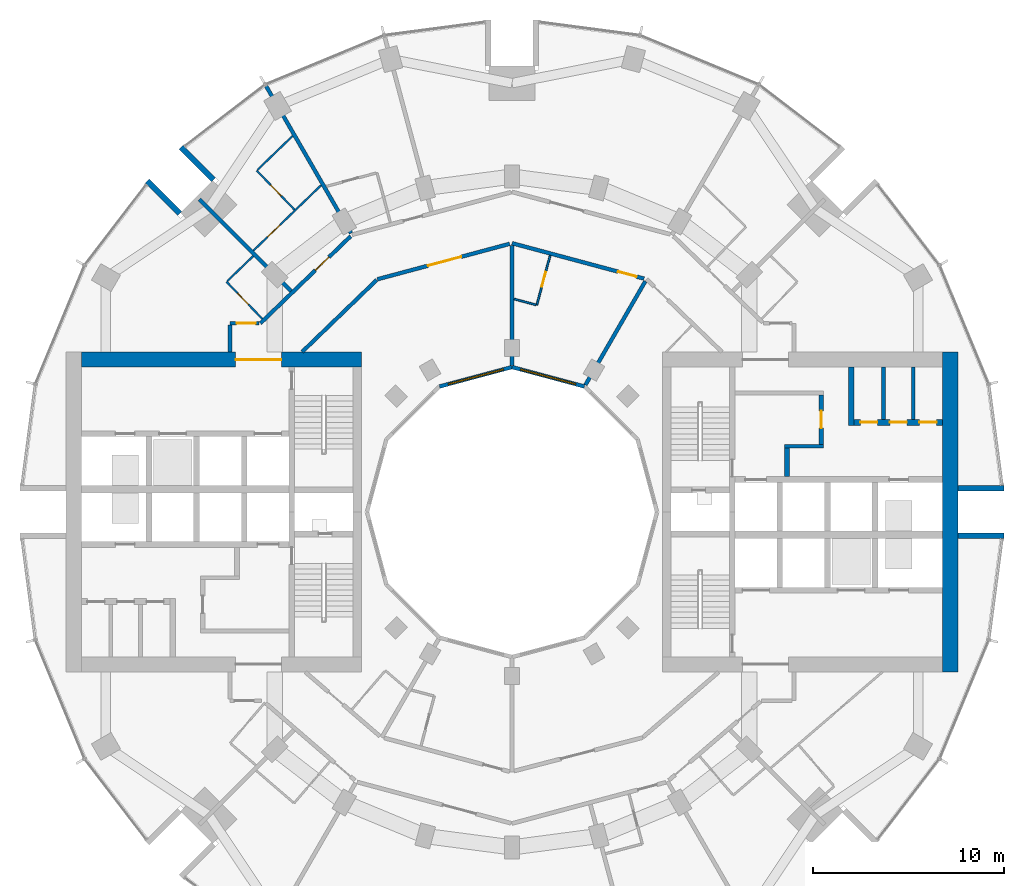
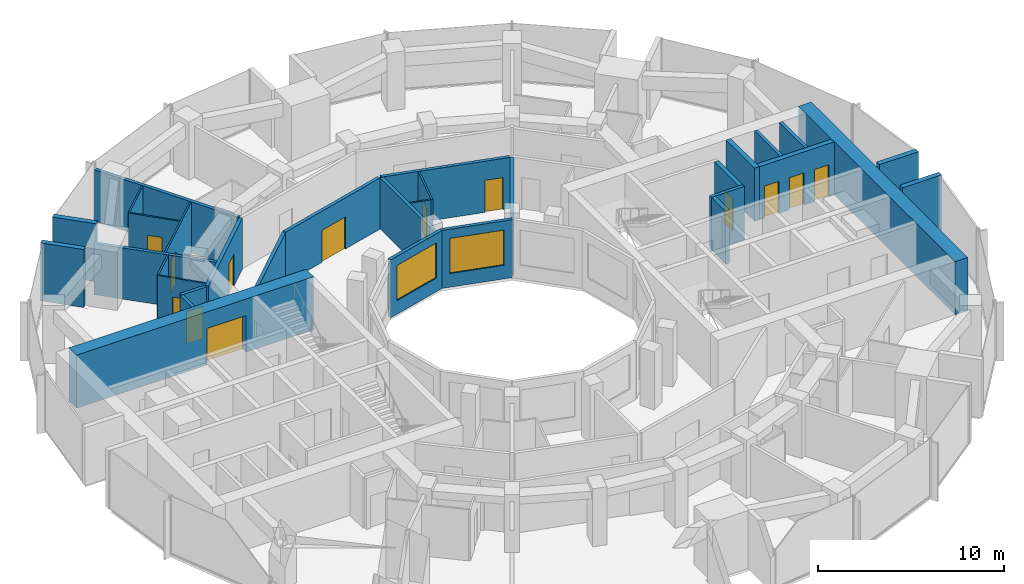
# One storey, part 11 of 15: 32 walls, 13 doors, 2 windows, 15 openings.
"""IFC4 building model written with IfcOpenShell, lengths in metres."""

from ifc_helpers import new_model, si_unit, direction, frame, frame_2d, origin, place, context, subcontext, project, spatial, rectangle, extrude, material, layer, layer_set, type_object, element, fill, save


model = new_model("IFC4")

# Units and contexts
model_context = context("Model", 3, precision=1e-05, world=origin(), true_north=direction((0.0, 1.0)))
body_context = subcontext(model_context, "Body", "Model", "MODEL_VIEW")
ifc_project = project(units=[si_unit("LENGTHUNIT", "METRE"), si_unit("AREAUNIT", "SQUARE_METRE"), si_unit("VOLUMEUNIT", "CUBIC_METRE"), si_unit("PLANEANGLEUNIT", "RADIAN"), si_unit("MASSUNIT", "GRAM", prefix="KILO")], contexts=[model_context])

# Site, building, storey
site_placement = place(None, origin())
site = spatial("IfcSite", under=ifc_project, at=site_placement, CompositionType="ELEMENT")
building_placement = place(site_placement, origin())
building = spatial("IfcBuilding", under=site, at=building_placement, Name="Torre Brocal", CompositionType="ELEMENT")
storey_placement = place(building_placement, frame((0.0, 0.0, 97.60009765625)))
storey = spatial("IfcBuildingStorey", under=building, at=storey_placement, Name="L22", CompositionType="ELEMENT", Elevation=97.60009765625)

# Walls
ifc_material_1 = material(Name="Masonry block", Category="masonry")
ifc_layer_1 = layer(ifc_material_1, 0.199951171875)
ifc_layer_set_1 = layer_set([ifc_layer_1], Name="Masonry block")
wall_type_1 = type_object("IfcWallType", Name="CORE PARTITION 200", PredefinedType="PARTITIONING", material=ifc_layer_set_1)
for number, where, z_axis, x_axis, name in (
    (1, (99.5, 79.85009765625, 0.0), (0.0, 0.0, 1.0), (0.0, 1.0, 0.0), "Wall CP200"),
    (2, (101.050048828125, 79.85009765625, 0.0), (0.0, 0.0, 1.0), (0.0, 1.0, 0.0), "Wall CP200"),
):
    element("IfcWall", number, at=place(storey_placement, frame(where, z_axis=z_axis, x_axis=x_axis)), inside=storey, type_object=wall_type_1, Name=name, PredefinedType="PARTITIONING", context=body_context, shape_type="SweptSolid", body=[
        extrude(rectangle(XDim=2.75, YDim=0.199951171875, at=frame_2d((1.375, 0.0))), origin(), (0.0, 0.0, 1.0), 3.47998046875),
    ])
ifc_material_2 = material(Name="Concrete C80", Category="concrete")
ifc_layer_2 = layer(ifc_material_2, 0.199951171875)
ifc_layer_set_2 = layer_set([ifc_layer_2], Name="Concrete C80")
wall_type_2 = type_object("IfcWallType", Name="CORE WALL 200 C80", PredefinedType="SHEAR", material=ifc_layer_set_2)
wall_1_placement = place(storey_placement, frame((94.300048828125, 78.449951171875, 0.0), z_axis=(0.0, 0.0, 1.0), x_axis=(1.0, 0.0, 0.0)))
element("IfcWall", 3, at=wall_1_placement, inside=storey, type_object=wall_type_2, Name="Wall CW200-80", PredefinedType="SHEAR", context=body_context, shape_type="SweptSolid", body=[
    extrude(rectangle(XDim=2.050048828125, YDim=0.199951171875, at=frame_2d((1.02490234375, 0.0))), origin(), (0.0, 0.0, 1.0), 3.47998046875),
])

# Wall, opening, door
ifc_material_3 = material(Name="Concrete C80", Category="concrete")
ifc_layer_3 = layer(ifc_material_3, 0.25)
ifc_layer_set_3 = layer_set([ifc_layer_3], Name="Concrete C80")
wall_type_3 = type_object("IfcWallType", Name="CORE WALL 250 C80", PredefinedType="SHEAR", material=ifc_layer_set_3)
wall_2_placement = place(storey_placement, frame((96.22509765625, 78.550048828125, 0.0), z_axis=(0.0, 0.0, 1.0), x_axis=(0.0, 1.0, 0.0)))
wall_2 = element("IfcWall", 4, at=wall_2_placement, inside=storey, type_object=wall_type_3, Name="Wall CW250-80", PredefinedType="SHEAR", context=body_context, shape_type="SweptSolid", body=[
    extrude(rectangle(XDim=2.599853515625, YDim=0.25, at=frame_2d((1.2998046875, 0.0))), origin(), (0.0, 0.0, 1.0), 3.47998046875),
])
opening_1_placement = place(wall_2_placement, frame((0.85009765625, 0.0, 0.0)))
opening_1 = element("IfcOpeningElement", 5, at=opening_1_placement, cuts=wall_2, Name="Opening E-D15", PredefinedType="OPENING", context=body_context, shape_type="SweptSolid", body=[
    extrude(rectangle(XDim=0.89990234375, YDim=2.10009765625, at=frame_2d((0.449951171875, 1.050048828125))), frame((0.0, 0.135009765625, 0.0), z_axis=(0.0, -1.0, 0.0), x_axis=(1.0, 0.0, 0.0)), (0.0, 0.0, 1.0), 0.27001953125),
])
ifc_material_4 = material(Name="Steel A653", Category="steel")
door_type_1 = type_object("IfcDoorType", Name="LOBBY DOOR FD120 900X2100", OperationType="SINGLE_SWING_RIGHT", PredefinedType="DOOR", material=ifc_material_4)
door_1_placement = place(opening_1_placement, origin())
door_1 = element("IfcDoor", 6, at=door_1_placement, inside=storey, type_object=door_type_1, Name="Door E-D15", OperationType="SINGLE_SWING_LEFT", OverallHeight=2.10009765625, OverallWidth=0.89990234375, PredefinedType="DOOR", context=body_context, shape_type="SweptSolid", body=[
    extrude(rectangle(XDim=0.89990234375, YDim=2.10009765625, at=frame_2d((0.449951171875, 1.050048828125))), frame((0.0, 0.02490234375, 0.0), z_axis=(0.0, -1.0, 0.0), x_axis=(1.0, 0.0, 0.0)), (0.0, 0.0, 1.0), 0.050048828125),
])
fill(opening_1, door_1)

# Walls
wall_3_placement = place(storey_placement, frame((94.425048828125, 76.85009765625, 0.0), z_axis=(0.0, 0.0, 1.0), x_axis=(0.0, 1.0, 0.0)))
element("IfcWall", 7, at=wall_3_placement, inside=storey, type_object=wall_type_3, Name="Wall CW250-80", PredefinedType="SHEAR", context=body_context, shape_type="SweptSolid", body=[
    extrude(rectangle(XDim=1.5, YDim=0.25, at=frame_2d((0.75, 0.0))), origin(), (0.0, 0.0, 1.0), 3.47998046875),
])
ifc_material_5 = material(Name="Concrete C80", Category="concrete")
ifc_layer_4 = layer(ifc_material_5, 0.300048828125)
ifc_layer_set_4 = layer_set([ifc_layer_4], Name="Concrete C80")
wall_type_4 = type_object("IfcWallType", Name="CORE WALL 300 C80", PredefinedType="SHEAR", material=ifc_layer_set_4)
wall_4_placement = place(storey_placement, frame((97.800048828125, 79.550048828125, 0.0), z_axis=(0.0, 0.0, 1.0), x_axis=(0.0, 1.0, 0.0)))
element("IfcWall", 8, at=wall_4_placement, inside=storey, type_object=wall_type_4, Name="Wall CW300-80", PredefinedType="SHEAR", context=body_context, shape_type="SweptSolid", body=[
    extrude(rectangle(XDim=3.050048828125, YDim=0.300048828125, at=frame_2d((1.52490234375, 0.0))), origin(), (0.0, 0.0, 1.0), 3.47998046875),
])

# Wall, openings, doors
wall_5_placement = place(storey_placement, frame((97.949951171875, 79.699951171875, 0.0), z_axis=(0.0, 0.0, 1.0), x_axis=(1.0, 0.0, 0.0)))
wall_5 = element("IfcWall", 9, at=wall_5_placement, inside=storey, type_object=wall_type_4, Name="Wall CW300-80", PredefinedType="SHEAR", context=body_context, shape_type="SweptSolid", body=[
    extrude(rectangle(XDim=4.650146484375, YDim=0.300048828125, at=frame_2d((2.3251953125, 0.0))), origin(), (0.0, 0.0, 1.0), 3.47998046875),
])
opening_2_placement = place(wall_5_placement, frame((0.324951171875, 0.0, 0.0)))
opening_2 = element("IfcOpeningElement", 10, at=opening_2_placement, cuts=wall_5, Name="Opening E-D05", PredefinedType="OPENING", context=body_context, shape_type="SweptSolid", body=[
    extrude(rectangle(XDim=0.89990234375, YDim=2.10009765625, at=frame_2d((0.449951171875, 1.050048828125))), frame((0.0, 0.159912109375, 0.0), z_axis=(0.0, -1.0, 0.0), x_axis=(1.0, 0.0, 0.0)), (0.0, 0.0, 1.0), 0.320068359375),
])
opening_3_placement = place(wall_5_placement, frame((1.875, 0.0, 0.0)))
opening_3 = element("IfcOpeningElement", 11, at=opening_3_placement, cuts=wall_5, Name="Opening E-D06", PredefinedType="OPENING", context=body_context, shape_type="SweptSolid", body=[
    extrude(rectangle(XDim=0.89990234375, YDim=2.10009765625, at=frame_2d((0.449951171875, 1.050048828125))), frame((0.0, 0.159912109375, 0.0), z_axis=(0.0, -1.0, 0.0), x_axis=(1.0, 0.0, 0.0)), (0.0, 0.0, 1.0), 0.320068359375),
])
opening_4_placement = place(wall_5_placement, frame((3.425048828125, 0.0, 0.0)))
opening_4 = element("IfcOpeningElement", 12, at=opening_4_placement, cuts=wall_5, Name="Opening E-D07", PredefinedType="OPENING", context=body_context, shape_type="SweptSolid", body=[
    extrude(rectangle(XDim=0.89990234375, YDim=2.10009765625, at=frame_2d((0.449951171875, 1.050048828125))), frame((0.0, 0.159912109375, 0.0), z_axis=(0.0, -1.0, 0.0), x_axis=(1.0, 0.0, 0.0)), (0.0, 0.0, 1.0), 0.320068359375),
])
ifc_material_6 = material(Name="Steel A653", Category="steel")
door_type_2 = type_object("IfcDoorType", Name="ROOM DOOR FD30S 900X2100", OperationType="SINGLE_SWING_LEFT", PredefinedType="DOOR", material=ifc_material_6)
door_2_placement = place(opening_2_placement, origin())
door_2 = element("IfcDoor", 13, at=door_2_placement, inside=storey, type_object=door_type_2, Name="Door E-D05", OperationType="SINGLE_SWING_RIGHT", OverallHeight=2.10009765625, OverallWidth=0.89990234375, PredefinedType="DOOR", context=body_context, shape_type="SweptSolid", body=[
    extrude(rectangle(XDim=0.89990234375, YDim=2.10009765625, at=frame_2d((0.449951171875, 1.050048828125))), frame((0.0, 0.02490234375, 0.0), z_axis=(0.0, -1.0, 0.0), x_axis=(1.0, 0.0, 0.0)), (0.0, 0.0, 1.0), 0.050048828125),
])
fill(opening_2, door_2)
door_3_placement = place(opening_3_placement, origin())
door_3 = element("IfcDoor", 14, at=door_3_placement, inside=storey, type_object=door_type_2, Name="Door E-D06", OperationType="SINGLE_SWING_RIGHT", OverallHeight=2.10009765625, OverallWidth=0.89990234375, PredefinedType="DOOR", context=body_context, shape_type="SweptSolid", body=[
    extrude(rectangle(XDim=0.89990234375, YDim=2.10009765625, at=frame_2d((0.449951171875, 1.050048828125))), frame((0.0, 0.02490234375, 0.0), z_axis=(0.0, -1.0, 0.0), x_axis=(1.0, 0.0, 0.0)), (0.0, 0.0, 1.0), 0.050048828125),
])
fill(opening_3, door_3)
door_4_placement = place(opening_4_placement, origin())
door_4 = element("IfcDoor", 15, at=door_4_placement, inside=storey, type_object=door_type_2, Name="Door E-D07", OperationType="SINGLE_SWING_LEFT", OverallHeight=2.10009765625, OverallWidth=0.89990234375, PredefinedType="DOOR", context=body_context, shape_type="SweptSolid", body=[
    extrude(rectangle(XDim=0.89990234375, YDim=2.10009765625, at=frame_2d((0.449951171875, 1.050048828125))), frame((0.0, 0.02490234375, 0.0), z_axis=(0.0, -1.0, 0.0), x_axis=(1.0, 0.0, 0.0)), (0.0, 0.0, 1.0), 0.050048828125),
])
fill(opening_4, door_4)

# Wall
ifc_material_7 = material(Name="Concrete C80", Category="concrete")
ifc_layer_5 = layer(ifc_material_7, 0.800048828125)
ifc_layer_set_5 = layer_set([ifc_layer_5], Name="Concrete C80")
wall_type_5 = type_object("IfcWallType", Name="CORE WALL 800 C80", PredefinedType="SHEAR", material=ifc_layer_set_5)
wall_6_placement = place(storey_placement, frame((103.0, 66.60009765625, 0.0), z_axis=(0.0, 0.0, 1.0), x_axis=(0.0, 1.0, 0.0)))
element("IfcWall", 16, at=wall_6_placement, inside=storey, type_object=wall_type_5, Name="Wall CW800-80", PredefinedType="SHEAR", context=body_context, shape_type="SweptSolid", body=[
    extrude(rectangle(XDim=16.7998046875, YDim=0.800048828125, at=frame_2d((8.39990234375, 0.0))), origin(), (0.0, 0.0, 1.0), 3.47998046875),
])

# Wall, opening, door
wall_7_placement = place(storey_placement, frame((72.10009765625, 83.0, 0.0), z_axis=(0.0, 0.0, 1.0), x_axis=(-1.0, 0.0, 0.0)))
wall_7 = element("IfcWall", 17, at=wall_7_placement, inside=storey, type_object=wall_type_5, Name="Wall CW800-80", PredefinedType="SHEAR", context=body_context, shape_type="SweptSolid", body=[
    extrude(rectangle(XDim=14.7001953125, YDim=0.800048828125, at=frame_2d((7.35009765625, 0.0))), origin(), (0.0, 0.0, 1.0), 3.47998046875),
])
opening_5_placement = place(wall_7_placement, frame((4.199951171875, 0.0, 0.0)))
opening_5 = element("IfcOpeningElement", 18, at=opening_5_placement, cuts=wall_7, Name="Opening W-D30", PredefinedType="OPENING", context=body_context, shape_type="SweptSolid", body=[
    extrude(rectangle(XDim=2.39990234375, YDim=2.39990234375, at=frame_2d((1.199951171875, 1.199951171875))), frame((0.0, 0.409912109375, 0.0), z_axis=(0.0, -1.0, 0.0), x_axis=(1.0, 0.0, 0.0)), (0.0, 0.0, 1.0), 0.820068359375),
])
ifc_material_8 = material(Name="Steel A653", Category="steel")
door_type_3 = type_object("IfcDoorType", Name="DOUBLE FIRE DOOR FD90 2400X2400", OperationType="DOUBLE_DOOR_SINGLE_SWING", PredefinedType="DOOR", material=ifc_material_8)
door_5_placement = place(opening_5_placement, origin())
door_5 = element("IfcDoor", 19, at=door_5_placement, inside=storey, type_object=door_type_3, Name="Door W-D30", OperationType="DOUBLE_DOOR_SINGLE_SWING", OverallHeight=2.39990234375, OverallWidth=2.39990234375, PredefinedType="DOOR", context=body_context, shape_type="SweptSolid", body=[
    extrude(rectangle(XDim=2.39990234375, YDim=2.39990234375, at=frame_2d((1.199951171875, 1.199951171875))), frame((0.0, 0.02490234375, 0.0), z_axis=(0.0, -1.0, 0.0), x_axis=(1.0, 0.0, 0.0)), (0.0, 0.0, 1.0), 0.050048828125),
])
fill(opening_5, door_5)

# Walls
ifc_material_9 = material(Name="Concrete C80", Category="concrete")
ifc_layer_6 = layer(ifc_material_9, 0.300048828125)
ifc_layer_set_6 = layer_set([ifc_layer_6], Name="Concrete C80")
wall_type_6 = type_object("IfcWallType", Name="NOTCH RETURN WALL 300 C80", PredefinedType="NOTDEFINED", material=ifc_layer_set_6)
for number, where, z_axis, x_axis, name in (
    (20, (103.39990234375, 73.75, 0.0), (0.0, 0.0, 1.0), (1.0, 0.0, 0.0), "NOTCH RETURN WALL"),
    (21, (103.39990234375, 76.25, 0.0), (0.0, 0.0, 1.0), (1.0, 0.0, 0.0), "NOTCH RETURN WALL"),
    (22, (64.337646484375, 92.43017578125, 0.0), (0.0, 0.0, 1.0), (-0.707106781187, 0.707106781187, 0.0), "NOTCH RETURN WALL"),
    (23, (62.56982421875, 90.662353515625, 0.0), (0.0, 0.0, 1.0), (-0.707106781187, 0.707106781187, 0.0), "NOTCH RETURN WALL"),
):
    element("IfcWall", number, at=place(storey_placement, frame(where, z_axis=z_axis, x_axis=x_axis)), inside=storey, type_object=wall_type_6, Name=name, PredefinedType="NOTDEFINED", context=body_context, shape_type="SweptSolid", body=[
        extrude(rectangle(XDim=2.415771484375, YDim=0.300048828125, at=frame_2d((1.2080078125, 0.0))), origin(), (0.0, 0.0, 1.0), 3.7998046875),
    ])
ifc_material_10 = material(Name="Gypsum board", Category="Gypsum")
ifc_layer_7 = layer(ifc_material_10, 0.10009765625)
ifc_layer_set_7 = layer_set([ifc_layer_7], Name="Gypsum board")
wall_type_7 = type_object("IfcWallType", Name="PARTITION 100", PredefinedType="PARTITIONING", material=ifc_layer_set_7)
wall_8_placement = place(storey_placement, frame((65.05810546875, 87.11376953125, 0.0), z_axis=(0.0, 0.0, 1.0), x_axis=(0.719653890619, 0.694332973232, 0.0)))
element("IfcWall", 24, at=wall_8_placement, inside=storey, type_object=wall_type_7, Name="BATHROOM WALL", PredefinedType="PARTITIONING", context=body_context, shape_type="SweptSolid", body=[
    extrude(rectangle(XDim=1.8994140625, YDim=0.10009765625, at=frame_2d((0.94970703125, 0.0))), origin(), (0.0, 0.0, 1.0), 3.349853515625),
])

# Wall, opening, door
wall_9_placement = place(storey_placement, frame((65.02197265625, 87.0791015625, 0.0), z_axis=(0.0, 0.0, 1.0), x_axis=(0.694287838235, -0.719697434815, 0.0)))
wall_9 = element("IfcWall", 25, at=wall_9_placement, inside=storey, type_object=wall_type_7, Name="BATHROOM WALL", PredefinedType="PARTITIONING", context=body_context, shape_type="SweptSolid", body=[
    extrude(rectangle(XDim=2.699951171875, YDim=0.10009765625, at=frame_2d((1.35009765625, 0.0))), origin(), (0.0, 0.0, 1.0), 3.349853515625),
])
opening_6_placement = place(wall_9_placement, frame((0.849853515625, 0.0, 0.0)))
opening_6 = element("IfcOpeningElement", 26, at=opening_6_placement, cuts=wall_9, Name="Opening H06-D12", PredefinedType="OPENING", context=body_context, shape_type="SweptSolid", body=[
    extrude(rectangle(XDim=0.800048828125, YDim=2.10009765625, at=frame_2d((0.39990234375, 1.050048828125))), frame((0.0, 0.06005859375, 0.0), z_axis=(0.0, -1.0, 0.0), x_axis=(1.0, 0.0, 0.0)), (0.0, 0.0, 1.0), 0.1201171875),
])
ifc_material_11 = material(Name="Timber", Category="wood")
door_type_4 = type_object("IfcDoorType", Name="BATHROOM DOOR 800X2100", OperationType="SINGLE_SWING_LEFT", PredefinedType="DOOR", material=ifc_material_11)
door_6_placement = place(opening_6_placement, origin())
door_6 = element("IfcDoor", 27, at=door_6_placement, inside=storey, type_object=door_type_4, Name="H06-D12", OperationType="SINGLE_SWING_LEFT", OverallHeight=2.10009765625, OverallWidth=0.800048828125, PredefinedType="DOOR", context=body_context, shape_type="SweptSolid", body=[
    extrude(rectangle(XDim=0.800048828125, YDim=2.10009765625, at=frame_2d((0.39990234375, 1.050048828125))), frame((0.0, 0.02490234375, 0.0), z_axis=(0.0, -1.0, 0.0), x_axis=(1.0, 0.0, 0.0)), (0.0, 0.0, 1.0), 0.050048828125),
])
fill(opening_6, door_6)

wall_10_placement = place(storey_placement, frame((66.43603515625, 88.720458984375, 0.0), z_axis=(0.0, 0.0, 1.0), x_axis=(0.719585934284, 0.694403400899, 0.0)))
wall_10 = element("IfcWall", 28, at=wall_10_placement, inside=storey, type_object=wall_type_7, Name="BATHROOM WALL", PredefinedType="PARTITIONING", context=body_context, shape_type="SweptSolid", body=[
    extrude(rectangle(XDim=4.925048828125, YDim=0.10009765625, at=frame_2d((2.46240234375, 0.0))), origin(), (0.0, 0.0, 1.0), 3.349853515625),
])
opening_7_placement = place(wall_10_placement, frame((1.0224609375, 0.0, 0.0)))
opening_7 = element("IfcOpeningElement", 29, at=opening_7_placement, cuts=wall_10, Name="Opening H06-D09", PredefinedType="OPENING", context=body_context, shape_type="SweptSolid", body=[
    extrude(rectangle(XDim=0.89990234375, YDim=2.10009765625, at=frame_2d((0.449951171875, 1.050048828125))), frame((0.0, 0.06005859375, 0.0), z_axis=(0.0, -1.0, 0.0), x_axis=(1.0, 0.0, 0.0)), (0.0, 0.0, 1.0), 0.1201171875),
])
ifc_material_12 = material(Name="Timber", Category="wood")
door_type_5 = type_object("IfcDoorType", Name="ROOM DOOR 900X2100", OperationType="SINGLE_SWING_LEFT", PredefinedType="DOOR", material=ifc_material_12)
door_7_placement = place(opening_7_placement, frame((0.89990234375, 0.0, 0.0), z_axis=(0.0, 0.0, 1.0), x_axis=(-1.0, 0.0, 0.0)))
door_7 = element("IfcDoor", 30, at=door_7_placement, inside=storey, type_object=door_type_5, Name="H06-D09", OperationType="SINGLE_SWING_RIGHT", OverallHeight=2.10009765625, OverallWidth=0.89990234375, PredefinedType="DOOR", context=body_context, shape_type="SweptSolid", body=[
    extrude(rectangle(XDim=0.89990234375, YDim=2.10009765625, at=frame_2d((0.449951171875, 1.050048828125))), frame((0.0, 0.02490234375, 0.0), z_axis=(0.0, -1.0, 0.0), x_axis=(1.0, 0.0, 0.0)), (0.0, 0.0, 1.0), 0.050048828125),
])
fill(opening_7, door_7)

# Wall
wall_11_placement = place(storey_placement, frame((66.64208984375, 92.94970703125, 0.0), z_axis=(0.0, 0.0, 1.0), x_axis=(0.719667412702, 0.694318957753, 0.0)))
element("IfcWall", 31, at=wall_11_placement, inside=storey, type_object=wall_type_7, Name="BATHROOM WALL", PredefinedType="PARTITIONING", context=body_context, shape_type="SweptSolid", body=[
    extrude(rectangle(XDim=2.56201171875, YDim=0.10009765625, at=frame_2d((1.281005859375, 0.0))), origin(), (0.0, 0.0, 1.0), 3.349853515625),
])

# Wall, opening, door
wall_12_placement = place(storey_placement, frame((66.60595703125, 92.9150390625, 0.0), z_axis=(0.0, 0.0, 1.0), x_axis=(0.694403413121, -0.71958592249, 0.0)))
wall_12 = element("IfcWall", 32, at=wall_12_placement, inside=storey, type_object=wall_type_7, Name="BATHROOM WALL", PredefinedType="PARTITIONING", context=body_context, shape_type="SweptSolid", body=[
    extrude(rectangle(XDim=2.850341796875, YDim=0.10009765625, at=frame_2d((1.42529296875, 0.0))), origin(), (0.0, 0.0, 1.0), 3.349853515625),
])
opening_8_placement = place(wall_12_placement, frame((1.05029296875, 0.0, 0.0)))
opening_8 = element("IfcOpeningElement", 33, at=opening_8_placement, cuts=wall_12, Name="Opening H06-D10", PredefinedType="OPENING", context=body_context, shape_type="SweptSolid", body=[
    extrude(rectangle(XDim=0.800048828125, YDim=2.10009765625, at=frame_2d((0.39990234375, 1.050048828125))), frame((0.0, 0.06005859375, 0.0), z_axis=(0.0, -1.0, 0.0), x_axis=(1.0, 0.0, 0.0)), (0.0, 0.0, 1.0), 0.1201171875),
])
door_8_placement = place(opening_8_placement, origin())
door_8 = element("IfcDoor", 34, at=door_8_placement, inside=storey, type_object=door_type_4, Name="H06-D10", OperationType="SINGLE_SWING_RIGHT", OverallHeight=2.10009765625, OverallWidth=0.800048828125, PredefinedType="DOOR", context=body_context, shape_type="SweptSolid", body=[
    extrude(rectangle(XDim=0.800048828125, YDim=2.10009765625, at=frame_2d((0.39990234375, 1.050048828125))), frame((0.0, 0.02490234375, 0.0), z_axis=(0.0, -1.0, 0.0), x_axis=(1.0, 0.0, 0.0)), (0.0, 0.0, 1.0), 0.050048828125),
])
fill(opening_8, door_8)

# Wall
wall_13_placement = place(storey_placement, frame((80.106201171875, 86.176513671875, 0.0), z_axis=(0.0, 0.0, 1.0), x_axis=(0.966002973184, -0.258530957139, 0.0)))
element("IfcWall", 35, at=wall_13_placement, inside=storey, type_object=wall_type_7, Name="BATHROOM WALL", PredefinedType="PARTITIONING", context=body_context, shape_type="SweptSolid", body=[
    extrude(rectangle(XDim=1.18994140625, YDim=0.10009765625, at=frame_2d((0.594970703125, 0.0))), origin(), (0.0, 0.0, 1.0), 3.349853515625),
])

# Wall, opening, door
wall_14_placement = place(storey_placement, frame((81.303955078125, 85.85595703125, 0.0), z_axis=(0.0, 0.0, 1.0), x_axis=(0.25867580527, 0.965964195904, 0.0)))
wall_14 = element("IfcWall", 36, at=wall_14_placement, inside=storey, type_object=wall_type_7, Name="BATHROOM WALL", PredefinedType="PARTITIONING", context=body_context, shape_type="SweptSolid", body=[
    extrude(rectangle(XDim=2.69921875, YDim=0.10009765625, at=frame_2d((1.349609375, 0.0))), origin(), (0.0, 0.0, 1.0), 3.349853515625),
])
opening_9_placement = place(wall_14_placement, frame((0.99951171875, 0.0, 0.0)))
opening_9 = element("IfcOpeningElement", 37, at=opening_9_placement, cuts=wall_14, Name="Opening H06-D16", PredefinedType="OPENING", context=body_context, shape_type="SweptSolid", body=[
    extrude(rectangle(XDim=0.800048828125, YDim=2.10009765625, at=frame_2d((0.39990234375, 1.050048828125))), frame((0.0, 0.06005859375, 0.0), z_axis=(0.0, -1.0, 0.0), x_axis=(1.0, 0.0, 0.0)), (0.0, 0.0, 1.0), 0.1201171875),
])
door_9_placement = place(opening_9_placement, origin())
door_9 = element("IfcDoor", 38, at=door_9_placement, inside=storey, type_object=door_type_4, Name="H06-D16", OperationType="SINGLE_SWING_RIGHT", OverallHeight=2.10009765625, OverallWidth=0.800048828125, PredefinedType="DOOR", context=body_context, shape_type="SweptSolid", body=[
    extrude(rectangle(XDim=0.800048828125, YDim=2.10009765625, at=frame_2d((0.39990234375, 1.050048828125))), frame((0.0, 0.02490234375, 0.0), z_axis=(0.0, -1.0, 0.0), x_axis=(1.0, 0.0, 0.0)), (0.0, 0.0, 1.0), 0.050048828125),
])
fill(opening_9, door_9)

# Walls
ifc_material_13 = material(Name="Gypsum board", Category="Gypsum")
ifc_layer_8 = layer(ifc_material_13, 0.199951171875)
ifc_layer_set_8 = layer_set([ifc_layer_8], Name="Gypsum board")
wall_type_8 = type_object("IfcWallType", Name="PARTITION 200 EI60", PredefinedType="PARTITIONING", material=ifc_layer_set_8)
wall_15_placement = place(storey_placement, frame((63.599609375, 91.4091796875, 0.0), z_axis=(0.0, 0.0, 1.0), x_axis=(0.706945318761, -0.707268206752, 0.0)))
element("IfcWall", 39, at=wall_15_placement, inside=storey, type_object=wall_type_8, Name="BATHROOM WALL", PredefinedType="PARTITIONING", context=body_context, shape_type="SweptSolid", body=[
    extrude(rectangle(XDim=6.804931640625, YDim=0.199951171875, at=frame_2d((3.40234375, 0.0))), origin(), (0.0, 0.0, 1.0), 3.349853515625),
])
wall_16_placement = place(storey_placement, frame((65.199951171875, 83.40087890625, 0.0), z_axis=(0.0, 0.0, 1.0), x_axis=(0.0, 1.0, 0.0)))
element("IfcWall", 40, at=wall_16_placement, inside=storey, type_object=wall_type_8, Name="GUESTROOM CORRIDOR WALL", PredefinedType="PARTITIONING", context=body_context, shape_type="SweptSolid", body=[
    extrude(rectangle(XDim=1.399169921875, YDim=0.199951171875, at=frame_2d((0.69970703125, 0.0))), origin(), (0.0, 0.0, 1.0), 3.349853515625),
])

# Wall, opening, door
wall_17_placement = place(storey_placement, frame((65.199951171875, 84.89990234375, 0.0), z_axis=(0.0, 0.0, 1.0), x_axis=(1.0, 0.0, 0.0)))
wall_17 = element("IfcWall", 41, at=wall_17_placement, inside=storey, type_object=wall_type_8, Name="GUESTROOM CORRIDOR WALL", PredefinedType="PARTITIONING", context=body_context, shape_type="SweptSolid", body=[
    extrude(rectangle(XDim=1.5361328125, YDim=0.199951171875, at=frame_2d((0.76806640625, 0.0))), origin(), (0.0, 0.0, 1.0), 3.349853515625),
])
opening_10_placement = place(wall_17_placement, frame((0.346923828125, 0.0, 0.0)))
opening_10 = element("IfcOpeningElement", 42, at=opening_10_placement, cuts=wall_17, Name="Opening H06-D11", PredefinedType="OPENING", context=body_context, shape_type="SweptSolid", body=[
    extrude(rectangle(XDim=1.0, YDim=2.10009765625, at=frame_2d((0.5, 1.050048828125))), frame((0.0, 0.10986328125, 0.0), z_axis=(0.0, -1.0, 0.0), x_axis=(1.0, 0.0, 0.0)), (0.0, 0.0, 1.0), 0.219970703125),
])
ifc_material_14 = material(Name="Timber", Category="wood")
door_type_6 = type_object("IfcDoorType", Name="FLAT ENTRY DOOR FD30S 1000X2100", OperationType="SINGLE_SWING_RIGHT", PredefinedType="DOOR", material=ifc_material_14)
door_10_placement = place(opening_10_placement, origin())
door_10 = element("IfcDoor", 43, at=door_10_placement, inside=storey, type_object=door_type_6, Name="H06-D11", OperationType="SINGLE_SWING_LEFT", OverallHeight=2.10009765625, OverallWidth=1.0, PredefinedType="DOOR", context=body_context, shape_type="SweptSolid", body=[
    extrude(rectangle(XDim=1.0, YDim=2.10009765625, at=frame_2d((0.5, 1.050048828125))), frame((0.0, 0.02490234375, 0.0), z_axis=(0.0, -1.0, 0.0), x_axis=(1.0, 0.0, 0.0)), (0.0, 0.0, 1.0), 0.050048828125),
])
fill(opening_10, door_10)

wall_18_placement = place(storey_placement, frame((66.796142578125, 84.89990234375, 0.0), z_axis=(0.0, 0.0, 1.0), x_axis=(0.719690784855, 0.694294731505, 0.0)))
wall_18 = element("IfcWall", 44, at=wall_18_placement, inside=storey, type_object=wall_type_8, Name="FLAT ENTRANCE WALL", PredefinedType="PARTITIONING", context=body_context, shape_type="SweptSolid", body=[
    extrude(rectangle(XDim=6.585205078125, YDim=0.199951171875, at=frame_2d((3.29248046875, 0.0))), origin(), (0.0, 0.0, 1.0), 3.349853515625),
])
opening_11_placement = place(wall_18_placement, frame((4.006103515625, 0.0, 0.0)))
opening_11 = element("IfcOpeningElement", 45, at=opening_11_placement, cuts=wall_18, Name="Opening H06-D08", PredefinedType="OPENING", context=body_context, shape_type="SweptSolid", body=[
    extrude(rectangle(XDim=1.0, YDim=2.10009765625, at=frame_2d((0.5, 1.050048828125))), frame((0.0, 0.10986328125, 0.0), z_axis=(0.0, -1.0, 0.0), x_axis=(1.0, 0.0, 0.0)), (0.0, 0.0, 1.0), 0.219970703125),
])
door_11_placement = place(opening_11_placement, origin())
door_11 = element("IfcDoor", 46, at=door_11_placement, inside=storey, type_object=door_type_6, Name="H06-D08", OperationType="SINGLE_SWING_LEFT", OverallHeight=2.10009765625, OverallWidth=1.0, PredefinedType="DOOR", context=body_context, shape_type="SweptSolid", body=[
    extrude(rectangle(XDim=1.0, YDim=2.10009765625, at=frame_2d((0.5, 1.050048828125))), frame((0.0, 0.02490234375, 0.0), z_axis=(0.0, -1.0, 0.0), x_axis=(1.0, 0.0, 0.0)), (0.0, 0.0, 1.0), 0.050048828125),
])
fill(opening_11, door_11)

# Walls
wall_19_placement = place(storey_placement, frame((67.1015625, 97.341796875, 0.0), z_axis=(0.0, 0.0, 1.0), x_axis=(0.499900389553, -0.866082906265, 0.0)))
element("IfcWall", 47, at=wall_19_placement, inside=storey, type_object=wall_type_8, Name="BATHROOM WALL", PredefinedType="PARTITIONING", context=body_context, shape_type="SweptSolid", body=[
    extrude(rectangle(XDim=8.907958984375, YDim=0.199951171875, at=frame_2d((4.4541015625, 0.0))), origin(), (0.0, 0.0, 1.0), 3.349853515625),
])
wall_20_placement = place(storey_placement, frame((68.9873046875, 83.39990234375, 0.0), z_axis=(0.0, 0.0, 1.0), x_axis=(0.719586298962, 0.694403022997, 0.0)))
element("IfcWall", 48, at=wall_20_placement, inside=storey, type_object=wall_type_8, Name="GUESTROOM CORRIDOR WALL", PredefinedType="PARTITIONING", context=body_context, shape_type="SweptSolid", body=[
    extrude(rectangle(XDim=5.438720703125, YDim=0.199951171875, at=frame_2d((2.71923828125, 0.0))), origin(), (0.0, 0.0, 1.0), 3.349853515625),
])

# Wall, opening, door
wall_21_placement = place(storey_placement, frame((72.93603515625, 87.2109375, 0.0), z_axis=(0.0, 0.0, 1.0), x_axis=(0.965917703859, 0.258849356521, 0.0)))
wall_21 = element("IfcWall", 49, at=wall_21_placement, inside=storey, type_object=wall_type_8, Name="GUESTROOM CORRIDOR WALL", PredefinedType="PARTITIONING", context=body_context, shape_type="SweptSolid", body=[
    extrude(rectangle(XDim=7.182373046875, YDim=0.199951171875, at=frame_2d((3.59130859375, 0.0))), origin(), (0.0, 0.0, 1.0), 3.349853515625),
])
opening_12_placement = place(wall_21_placement, frame((2.756591796875, 0.0, 0.0)))
opening_12 = element("IfcOpeningElement", 50, at=opening_12_placement, cuts=wall_21, Name="Opening H06-D17", PredefinedType="OPENING", context=body_context, shape_type="SweptSolid", body=[
    extrude(rectangle(XDim=1.800048828125, YDim=2.10009765625, at=frame_2d((0.89990234375, 1.050048828125))), frame((0.0, 0.10986328125, 0.0), z_axis=(0.0, -1.0, 0.0), x_axis=(1.0, 0.0, 0.0)), (0.0, 0.0, 1.0), 0.219970703125),
])
ifc_material_15 = material(Name="Timber", Category="wood")
door_type_7 = type_object("IfcDoorType", Name="DOUBLE DOOR 1800X2100", OperationType="DOUBLE_DOOR_SINGLE_SWING", PredefinedType="DOOR", material=ifc_material_15)
door_12_placement = place(opening_12_placement, frame((1.800048828125, 0.0, 0.0), z_axis=(0.0, 0.0, 1.0), x_axis=(-1.0, 0.0, 0.0)))
door_12 = element("IfcDoor", 51, at=door_12_placement, inside=storey, type_object=door_type_7, Name="H06-D17", OperationType="DOUBLE_DOOR_SINGLE_SWING", OverallHeight=2.10009765625, OverallWidth=1.800048828125, PredefinedType="DOOR", context=body_context, shape_type="SweptSolid", body=[
    extrude(rectangle(XDim=1.800048828125, YDim=2.10009765625, at=frame_2d((0.89990234375, 1.050048828125))), frame((0.0, 0.02490234375, 0.0), z_axis=(0.0, -1.0, 0.0), x_axis=(1.0, 0.0, 0.0)), (0.0, 0.0, 1.0), 0.050048828125),
])
fill(opening_12, door_12)

# Wall
wall_22_placement = place(storey_placement, frame((80.0, 82.699951171875, 0.0), z_axis=(0.0, 0.0, 1.0), x_axis=(0.0, 1.0, 0.0)))
element("IfcWall", 52, at=wall_22_placement, inside=storey, type_object=wall_type_8, Name="BATHROOM WALL", PredefinedType="PARTITIONING", context=body_context, shape_type="SweptSolid", body=[
    extrude(rectangle(XDim=6.27294921875, YDim=0.199951171875, at=frame_2d((3.136474609375, 0.0))), origin(), (0.0, 0.0, 1.0), 3.349853515625),
])

# Wall, opening, door
wall_23_placement = place(storey_placement, frame((80.0, 89.10400390625, 0.0), z_axis=(0.0, 0.0, 1.0), x_axis=(0.965856548257, -0.259077455964, 0.0)))
wall_23 = element("IfcWall", 53, at=wall_23_placement, inside=storey, type_object=wall_type_8, Name="GUESTROOM CORRIDOR WALL", PredefinedType="PARTITIONING", context=body_context, shape_type="SweptSolid", body=[
    extrude(rectangle(XDim=7.173095703125, YDim=0.199951171875, at=frame_2d((3.58642578125, 0.0))), origin(), (0.0, 0.0, 1.0), 3.349853515625),
])
opening_13_placement = place(wall_23_placement, frame((5.76318359375, 0.0, 0.0)))
opening_13 = element("IfcOpeningElement", 54, at=opening_13_placement, cuts=wall_23, Name="Opening H06-D15", PredefinedType="OPENING", context=body_context, shape_type="SweptSolid", body=[
    extrude(rectangle(XDim=1.0, YDim=2.10009765625, at=frame_2d((0.5, 1.050048828125))), frame((0.0, 0.10986328125, 0.0), z_axis=(0.0, -1.0, 0.0), x_axis=(1.0, 0.0, 0.0)), (0.0, 0.0, 1.0), 0.219970703125),
])
door_13_placement = place(opening_13_placement, frame((1.0, 0.0, 0.0), z_axis=(0.0, 0.0, 1.0), x_axis=(-1.0, 0.0, 0.0)))
door_13 = element("IfcDoor", 55, at=door_13_placement, inside=storey, type_object=door_type_6, Name="H06-D15", OperationType="SINGLE_SWING_LEFT", OverallHeight=2.10009765625, OverallWidth=1.0, PredefinedType="DOOR", context=body_context, shape_type="SweptSolid", body=[
    extrude(rectangle(XDim=1.0, YDim=2.10009765625, at=frame_2d((0.5, 1.050048828125))), frame((0.0, 0.02490234375, 0.0), z_axis=(0.0, -1.0, 0.0), x_axis=(1.0, 0.0, 0.0)), (0.0, 0.0, 1.0), 0.050048828125),
])
fill(opening_13, door_13)

# Wall
wall_24_placement = place(storey_placement, frame((83.851806640625, 81.665283203125, 0.0), z_axis=(0.0, 0.0, 1.0), x_axis=(0.500236829077, 0.86588862727, 0.0)))
element("IfcWall", 56, at=wall_24_placement, inside=storey, type_object=wall_type_8, Name="PARTY PARTITION", PredefinedType="PARTITIONING", context=body_context, shape_type="SweptSolid", body=[
    extrude(rectangle(XDim=6.28564453125, YDim=0.199951171875, at=frame_2d((3.142822265625, 0.0))), origin(), (0.0, 0.0, 1.0), 3.349853515625),
])

# Wall, opening, window
ifc_material_16 = material(Name="Concrete C40", Category="concrete")
ifc_layer_9 = layer(ifc_material_16, 0.199951171875)
ifc_layer_set_9 = layer_set([ifc_layer_9], Name="Concrete C40")
wall_type_9 = type_object("IfcWallType", Name="WELL FACADE WALL 200", PredefinedType="NOTDEFINED", material=ifc_layer_set_9)
wall_25_placement = place(storey_placement, frame((83.8017578125, 81.5849609375, 0.0), z_axis=(0.0, 0.0, 1.0), x_axis=(-0.965933654434, 0.258789828301, 0.0)))
wall_25 = element("IfcWall", 57, at=wall_25_placement, inside=storey, type_object=wall_type_9, Name="WELL FACADE WALL", PredefinedType="NOTDEFINED", context=body_context, shape_type="SweptSolid", body=[
    extrude(rectangle(XDim=3.935791015625, YDim=0.199951171875, at=frame_2d((1.9677734375, 0.0))), origin(), (0.0, 0.0, 1.0), 3.7998046875),
])
opening_14_placement = place(wall_25_placement, frame((0.468017578125, 0.0, 0.89990234375)))
opening_14 = element("IfcOpeningElement", 58, at=opening_14_placement, cuts=wall_25, Name="Opening W1", PredefinedType="OPENING", context=body_context, shape_type="SweptSolid", body=[
    extrude(rectangle(XDim=3.0, YDim=2.300048828125, at=frame_2d((1.5, 1.14990234375))), frame((0.0, 0.10986328125, 0.0), z_axis=(0.0, -1.0, 0.0), x_axis=(1.0, 0.0, 0.0)), (0.0, 0.0, 1.0), 0.219970703125),
])
ifc_material_17 = material(Name="Aluminium and glass", Category="aluminium")
window_type = type_object("IfcWindowType", Name="WELL WINDOW 3000X2300", PartitioningType="SINGLE_PANEL", PredefinedType="WINDOW", material=ifc_material_17)
window_1_placement = place(opening_14_placement, origin())
window_1 = element("IfcWindow", 59, at=window_1_placement, inside=storey, type_object=window_type, Name="WELL WINDOW 3000X2300", OverallHeight=2.300048828125, OverallWidth=3.0, PartitioningType="SINGLE_PANEL", PredefinedType="WINDOW", context=body_context, shape_type="SweptSolid", body=[
    extrude(rectangle(XDim=3.0, YDim=2.300048828125, at=frame_2d((1.5, 1.14990234375))), frame((0.0, 0.030029296875, 0.0), z_axis=(0.0, -1.0, 0.0), x_axis=(1.0, 0.0, 0.0)), (0.0, 0.0, 1.0), 0.06005859375),
])
fill(opening_14, window_1)

wall_26_placement = place(storey_placement, frame((80.0, 82.603515625, 0.0), z_axis=(0.0, 0.0, 1.0), x_axis=(-0.965933654434, -0.258789828301, 0.0)))
wall_26 = element("IfcWall", 60, at=wall_26_placement, inside=storey, type_object=wall_type_9, Name="WELL FACADE WALL", PredefinedType="NOTDEFINED", context=body_context, shape_type="SweptSolid", body=[
    extrude(rectangle(XDim=3.935791015625, YDim=0.199951171875, at=frame_2d((1.9677734375, 0.0))), origin(), (0.0, 0.0, 1.0), 3.7998046875),
])
opening_15_placement = place(wall_26_placement, frame((0.468017578125, 0.0, 0.89990234375)))
opening_15 = element("IfcOpeningElement", 61, at=opening_15_placement, cuts=wall_26, Name="Opening W1", PredefinedType="OPENING", context=body_context, shape_type="SweptSolid", body=[
    extrude(rectangle(XDim=3.0, YDim=2.300048828125, at=frame_2d((1.5, 1.14990234375))), frame((0.0, 0.10986328125, 0.0), z_axis=(0.0, -1.0, 0.0), x_axis=(1.0, 0.0, 0.0)), (0.0, 0.0, 1.0), 0.219970703125),
])
window_2_placement = place(opening_15_placement, origin())
window_2 = element("IfcWindow", 62, at=window_2_placement, inside=storey, type_object=window_type, Name="WELL WINDOW 3000X2300", OverallHeight=2.300048828125, OverallWidth=3.0, PartitioningType="SINGLE_PANEL", PredefinedType="WINDOW", context=body_context, shape_type="SweptSolid", body=[
    extrude(rectangle(XDim=3.0, YDim=2.300048828125, at=frame_2d((1.5, 1.14990234375))), frame((0.0, 0.030029296875, 0.0), z_axis=(0.0, -1.0, 0.0), x_axis=(1.0, 0.0, 0.0)), (0.0, 0.0, 1.0), 0.06005859375),
])
fill(opening_15, window_2)

save(model, "model.ifc")
